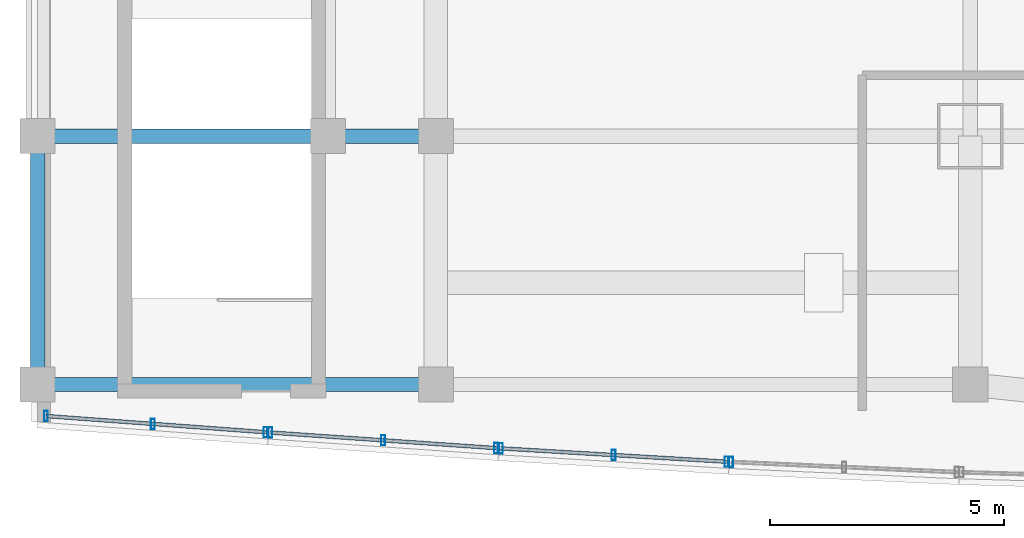
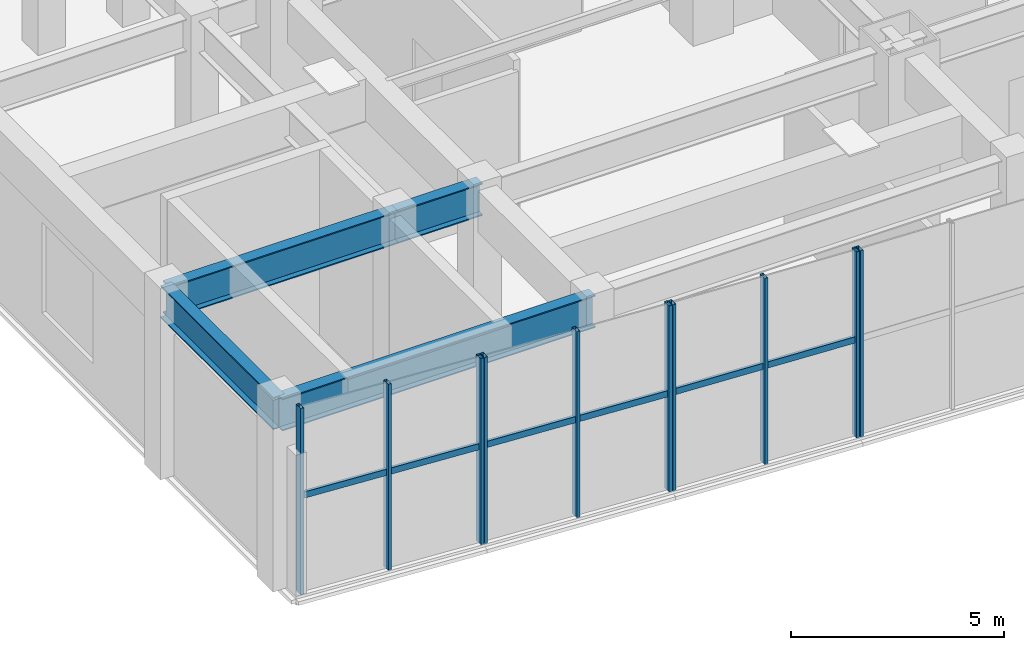
# One storey, part 2 of 19: 13 members, 4 beams, 4 elements without a shape of their own.
"""IFC4 building model written with IfcOpenShell, lengths in metres."""

from ifc_helpers import new_model, si_unit, direction, frame, origin, origin_2d, place, context, subcontext, project, spatial, hollow_rectangle, i_section, extrude, material, layer, layer_set, material_profile, profile_set, type_object, element, aggregate, save


model = new_model("IFC4")

# Units and contexts
model_context = context("Model", 3, precision=1e-05, world=origin(), true_north=direction((0.0, 1.0)))
body_context = subcontext(model_context, "Body", "Model", "MODEL_VIEW")
ifc_project = project(units=[si_unit("LENGTHUNIT", "METRE"), si_unit("AREAUNIT", "SQUARE_METRE"), si_unit("VOLUMEUNIT", "CUBIC_METRE"), si_unit("PLANEANGLEUNIT", "RADIAN"), si_unit("MASSUNIT", "GRAM", prefix="KILO")], contexts=[model_context])

# Site, building, storey
site_placement = place(None, origin())
site = spatial("IfcSite", under=ifc_project, at=site_placement, CompositionType="ELEMENT")
building_placement = place(site_placement, origin())
building = spatial("IfcBuilding", under=site, at=building_placement, Name="Vantalir Tower", CompositionType="ELEMENT")
storey_placement = place(building_placement, frame((0.0, 0.0, 21.5)))
storey = spatial("IfcBuildingStorey", under=building, at=storey_placement, Name="L04", CompositionType="ELEMENT", Elevation=21.5)

# Beams
ifc_material_1 = material(Name="Steel S355", Category="steel")
ifc_material_profile_1 = material_profile(ifc_material_1, i_section(OverallWidth=0.30810546875, OverallDepth=0.927001953125, WebThickness=0.01953125, FlangeThickness=0.031982421875, at=origin_2d()), Name="Steel S355")
ifc_profile_set_1 = profile_set([ifc_material_profile_1], Name="Steel S355")
beam_type = type_object("IfcBeamType", Name="BM-PG-914x305", PredefinedType="USERDEFINED", material=ifc_profile_set_1)
beam_1_placement = place(storey_placement, frame((2.0, 3.199951171875, 4.81591796875), z_axis=(1.0, 0.0, 0.0), x_axis=(0.0, 1.0, 0.0)))
element("IfcBeam", 1, at=beam_1_placement, inside=storey, type_object=beam_type, Name="L04 Podium E-W Girder 01", ObjectType="GIRDER", PredefinedType="USERDEFINED", context=body_context, shape_type="SweptSolid", body=[
    extrude(i_section(OverallWidth=0.30810546875, OverallDepth=0.927001953125, WebThickness=0.01953125, FlangeThickness=0.031982421875, at=origin_2d()), origin(), (0.0, 0.0, 1.0), 8.5),
])
beam_2_placement = place(storey_placement, frame((2.0, 8.5, 4.81591796875), z_axis=(1.0, 0.0, 0.0), x_axis=(0.0, 1.0, 0.0)))
element("IfcBeam", 2, at=beam_2_placement, inside=storey, type_object=beam_type, Name="L04 Podium E-W Girder 07", ObjectType="GIRDER", PredefinedType="USERDEFINED", context=body_context, shape_type="SweptSolid", body=[
    extrude(i_section(OverallWidth=0.30810546875, OverallDepth=0.927001953125, WebThickness=0.01953125, FlangeThickness=0.031982421875, at=origin_2d()), origin(), (0.0, 0.0, 1.0), 6.199951171875),
])
beam_3_placement = place(storey_placement, frame((8.199951171875, 8.5, 4.81591796875), z_axis=(1.0, 0.0, 0.0), x_axis=(0.0, 1.0, 0.0)))
element("IfcBeam", 3, at=beam_3_placement, inside=storey, type_object=beam_type, Name="L04 Podium E-W Girder 08", ObjectType="GIRDER", PredefinedType="USERDEFINED", context=body_context, shape_type="SweptSolid", body=[
    extrude(i_section(OverallWidth=0.30810546875, OverallDepth=0.927001953125, WebThickness=0.01953125, FlangeThickness=0.031982421875, at=origin_2d()), origin(), (0.0, 0.0, 1.0), 2.300048828125),
])
beam_4_placement = place(storey_placement, frame((2.0, 3.199951171875, 4.81591796875), z_axis=(0.0, 1.0, 0.0), x_axis=(-1.0, 0.0, 0.0)))
element("IfcBeam", 4, at=beam_4_placement, inside=storey, type_object=beam_type, Name="L04 Podium N-S Girder 39", ObjectType="GIRDER", PredefinedType="USERDEFINED", context=body_context, shape_type="SweptSolid", body=[
    extrude(i_section(OverallWidth=0.30810546875, OverallDepth=0.927001953125, WebThickness=0.01953125, FlangeThickness=0.031982421875, at=origin_2d()), origin(), (0.0, 0.0, 1.0), 5.300048828125),
])

# Curtain wall, members
ifc_material_2 = material(Name="Champagne-silver PVDF aluminium and double-silver Low-E glass", Category="aluminium")
ifc_layer = layer(ifc_material_2, 0.239990234375)
ifc_layer_set = layer_set([ifc_layer], Name="Champagne-silver PVDF aluminium and double-silver Low-E glass")
curtain_wall_type = type_object("IfcCurtainWallType", Name="CW-PODIUM-WF", PredefinedType="USERDEFINED", material=ifc_layer_set)
curtain_wall_1_placement = place(storey_placement, origin())
curtain_wall_1 = element("IfcCurtainWall", 5, at=curtain_wall_1_placement, inside=storey, type_object=curtain_wall_type, Name="L04 Waterfront Stick Curtain Wall 01", ObjectType="STICK CURTAIN WALL", PredefinedType="USERDEFINED")
ifc_material_3 = material(Name="Champagne-silver PVDF aluminium 6063-T6", Category="aluminium")
ifc_material_profile_2 = material_profile(ifc_material_3, hollow_rectangle(XDim=0.0849609375, YDim=0.219970703125, WallThickness=0.0048828125, at=origin_2d()), Name="Champagne-silver PVDF aluminium 6063-T6")
ifc_profile_set_2 = profile_set([ifc_material_profile_2], Name="Champagne-silver PVDF aluminium 6063-T6")
member_type_1 = type_object("IfcMemberType", Name="CWM-220x85", PredefinedType="MULLION", material=ifc_profile_set_2)
member_1_placement = place(storey_placement, frame((2.179931640625, 2.527099609375, -0.011962890625), z_axis=(0.0, 0.0, 1.0), x_axis=(1.0, 0.0, 0.0)))
member_1 = element("IfcMember", 6, at=member_1_placement, type_object=member_type_1, Name="CW-L04-WF-01 Mullion 1", PredefinedType="MULLION", context=body_context, shape_type="SweptSolid", body=[
    extrude(hollow_rectangle(XDim=0.0849609375, YDim=0.219970703125, WallThickness=0.0048828125, at=origin_2d()), origin(), (0.0, 0.0, 1.0), 5.343994140625),
])
member_2_placement = place(storey_placement, frame((4.4580078125, 2.35888671875, -0.011962890625), z_axis=(0.0, 0.0, 1.0), x_axis=(1.0, 0.0, 0.0)))
member_2 = element("IfcMember", 7, at=member_2_placement, type_object=member_type_1, Name="CW-L04-WF-01 Mullion 2", PredefinedType="MULLION", context=body_context, shape_type="SweptSolid", body=[
    extrude(hollow_rectangle(XDim=0.0849609375, YDim=0.219970703125, WallThickness=0.0048828125, at=origin_2d()), origin(), (0.0, 0.0, 1.0), 5.343994140625),
])
member_3_placement = place(storey_placement, frame((6.866943359375, 2.181884765625, -0.011962890625), z_axis=(0.0, 0.0, 1.0), x_axis=(1.0, 0.0, 0.0)))
member_3 = element("IfcMember", 8, at=member_3_placement, type_object=member_type_1, Name="CW-L04-WF-01 Mullion 3", PredefinedType="MULLION", context=body_context, shape_type="SweptSolid", body=[
    extrude(hollow_rectangle(XDim=0.0849609375, YDim=0.219970703125, WallThickness=0.0048828125, at=origin_2d()), origin(), (0.0, 0.0, 1.0), 5.343994140625),
])

curtain_wall_2_placement = place(storey_placement, origin())
curtain_wall_2 = element("IfcCurtainWall", 9, at=curtain_wall_2_placement, inside=storey, type_object=curtain_wall_type, Name="L04 Waterfront Stick Curtain Wall 02", ObjectType="STICK CURTAIN WALL", PredefinedType="USERDEFINED")
member_4_placement = place(storey_placement, frame((6.967041015625, 2.175048828125, -0.011962890625), z_axis=(0.0, 0.0, 1.0), x_axis=(1.0, 0.0, 0.0)))
member_4 = element("IfcMember", 10, at=member_4_placement, type_object=member_type_1, Name="CW-L04-WF-02 Mullion 1", PredefinedType="MULLION", context=body_context, shape_type="SweptSolid", body=[
    extrude(hollow_rectangle(XDim=0.0849609375, YDim=0.219970703125, WallThickness=0.0048828125, at=origin_2d()), origin(), (0.0, 0.0, 1.0), 5.343994140625),
])
member_5_placement = place(storey_placement, frame((9.375, 2.009033203125, -0.011962890625), z_axis=(0.0, 0.0, 1.0), x_axis=(1.0, 0.0, 0.0)))
member_5 = element("IfcMember", 11, at=member_5_placement, type_object=member_type_1, Name="CW-L04-WF-02 Mullion 2", PredefinedType="MULLION", context=body_context, shape_type="SweptSolid", body=[
    extrude(hollow_rectangle(XDim=0.0849609375, YDim=0.219970703125, WallThickness=0.0048828125, at=origin_2d()), origin(), (0.0, 0.0, 1.0), 5.343994140625),
])
member_6_placement = place(storey_placement, frame((11.782958984375, 1.843017578125, -0.011962890625), z_axis=(0.0, 0.0, 1.0), x_axis=(1.0, 0.0, 0.0)))
member_6 = element("IfcMember", 12, at=member_6_placement, type_object=member_type_1, Name="CW-L04-WF-02 Mullion 3", PredefinedType="MULLION", context=body_context, shape_type="SweptSolid", body=[
    extrude(hollow_rectangle(XDim=0.0849609375, YDim=0.219970703125, WallThickness=0.0048828125, at=origin_2d()), origin(), (0.0, 0.0, 1.0), 5.343994140625),
])

curtain_wall_3_placement = place(storey_placement, origin())
curtain_wall_3 = element("IfcCurtainWall", 13, at=curtain_wall_3_placement, inside=storey, type_object=curtain_wall_type, Name="L04 Waterfront Stick Curtain Wall 03", ObjectType="STICK CURTAIN WALL", PredefinedType="USERDEFINED")
member_7_placement = place(storey_placement, frame((11.883056640625, 1.8369140625, -0.011962890625), z_axis=(0.0, 0.0, 1.0), x_axis=(1.0, 0.0, 0.0)))
member_7 = element("IfcMember", 14, at=member_7_placement, type_object=member_type_1, Name="CW-L04-WF-03 Mullion 1", PredefinedType="MULLION", context=body_context, shape_type="SweptSolid", body=[
    extrude(hollow_rectangle(XDim=0.0849609375, YDim=0.219970703125, WallThickness=0.0048828125, at=origin_2d()), origin(), (0.0, 0.0, 1.0), 5.343994140625),
])
member_8_placement = place(storey_placement, frame((14.2919921875, 1.695068359375, -0.011962890625), z_axis=(0.0, 0.0, 1.0), x_axis=(1.0, 0.0, 0.0)))
member_8 = element("IfcMember", 15, at=member_8_placement, type_object=member_type_1, Name="CW-L04-WF-03 Mullion 2", PredefinedType="MULLION", context=body_context, shape_type="SweptSolid", body=[
    extrude(hollow_rectangle(XDim=0.0849609375, YDim=0.219970703125, WallThickness=0.0048828125, at=origin_2d()), origin(), (0.0, 0.0, 1.0), 5.343994140625),
])
member_9_placement = place(storey_placement, frame((16.699951171875, 1.552978515625, -0.011962890625), z_axis=(0.0, 0.0, 1.0), x_axis=(1.0, 0.0, 0.0)))
member_9 = element("IfcMember", 16, at=member_9_placement, type_object=member_type_1, Name="CW-L04-WF-03 Mullion 3", PredefinedType="MULLION", context=body_context, shape_type="SweptSolid", body=[
    extrude(hollow_rectangle(XDim=0.0849609375, YDim=0.219970703125, WallThickness=0.0048828125, at=origin_2d()), origin(), (0.0, 0.0, 1.0), 5.343994140625),
])

# Curtain wall, member
curtain_wall_4_placement = place(storey_placement, origin())
curtain_wall_4 = element("IfcCurtainWall", 17, at=curtain_wall_4_placement, inside=storey, type_object=curtain_wall_type, Name="L04 Waterfront Stick Curtain Wall 04", ObjectType="STICK CURTAIN WALL", PredefinedType="USERDEFINED")
member_10_placement = place(storey_placement, frame((16.800048828125, 1.548095703125, -0.011962890625), z_axis=(0.0, 0.0, 1.0), x_axis=(1.0, 0.0, 0.0)))
member_10 = element("IfcMember", 18, at=member_10_placement, type_object=member_type_1, Name="CW-L04-WF-04 Mullion 1", PredefinedType="MULLION", context=body_context, shape_type="SweptSolid", body=[
    extrude(hollow_rectangle(XDim=0.0849609375, YDim=0.219970703125, WallThickness=0.0048828125, at=origin_2d()), origin(), (0.0, 0.0, 1.0), 5.343994140625),
])
aggregate(curtain_wall_4, [member_10])

# Member
ifc_material_profile_3 = material_profile(ifc_material_3, hollow_rectangle(XDim=0.080078125, YDim=0.179931640625, WallThickness=0.0048828125, at=origin_2d()), Name="Champagne-silver PVDF aluminium 6063-T6")
ifc_profile_set_3 = profile_set([ifc_material_profile_3], Name="Champagne-silver PVDF aluminium 6063-T6")
member_type_2 = type_object("IfcMemberType", Name="CWT-180x80", PredefinedType="USERDEFINED", material=ifc_profile_set_3)
member_11_placement = place(storey_placement, frame((2.179931640625, 2.527099609375, 2.76611328125), z_axis=(0.997298566733, -0.073454535543, 0.0), x_axis=(0.073454535543, 0.997298566733, 0.0)))
member_11 = element("IfcMember", 19, at=member_11_placement, type_object=member_type_2, Name="CW-L04-WF-01 Transom 1", ObjectType="TRANSOM", PredefinedType="USERDEFINED", context=body_context, shape_type="SweptSolid", body=[
    extrude(hollow_rectangle(XDim=0.080078125, YDim=0.179931640625, WallThickness=0.0048828125, at=origin_2d()), origin(), (0.0, 0.0, 1.0), 4.69970703125),
])

aggregate(curtain_wall_1, [member_1, member_2, member_3, member_11])

member_12_placement = place(storey_placement, frame((6.967041015625, 2.175048828125, 2.76611328125), z_axis=(0.99763176464, -0.068781263303, 0.0), x_axis=(0.068781263303, 0.99763176464, 0.0)))
member_12 = element("IfcMember", 20, at=member_12_placement, type_object=member_type_2, Name="CW-L04-WF-02 Transom 1", ObjectType="TRANSOM", PredefinedType="USERDEFINED", context=body_context, shape_type="SweptSolid", body=[
    extrude(hollow_rectangle(XDim=0.080078125, YDim=0.179931640625, WallThickness=0.0048828125, at=origin_2d()), origin(), (0.0, 0.0, 1.0), 4.827392578125),
])

aggregate(curtain_wall_2, [member_4, member_5, member_6, member_12])

member_13_placement = place(storey_placement, frame((11.883056640625, 1.8369140625, 2.76611328125), z_axis=(0.998267212482, -0.058843627375, 0.0), x_axis=(0.058843627375, 0.998267212482, 0.0)))
member_13 = element("IfcMember", 21, at=member_13_placement, type_object=member_type_2, Name="CW-L04-WF-03 Transom 1", ObjectType="TRANSOM", PredefinedType="USERDEFINED", context=body_context, shape_type="SweptSolid", body=[
    extrude(hollow_rectangle(XDim=0.080078125, YDim=0.179931640625, WallThickness=0.0048828125, at=origin_2d()), origin(), (0.0, 0.0, 1.0), 4.8251953125),
])

aggregate(curtain_wall_3, [member_7, member_8, member_9, member_13])

save(model, "model.ifc")
